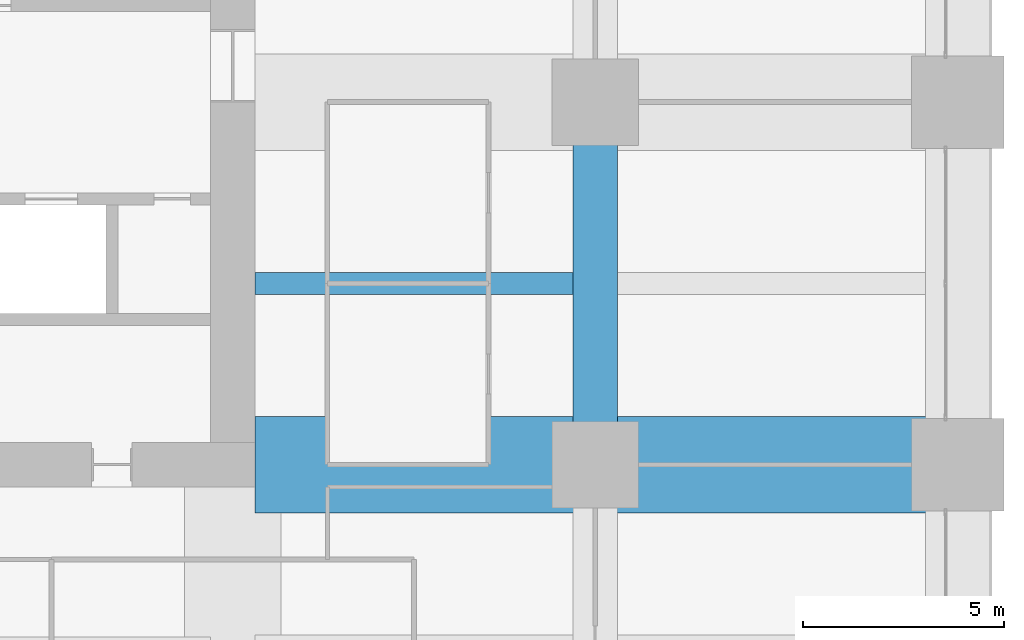
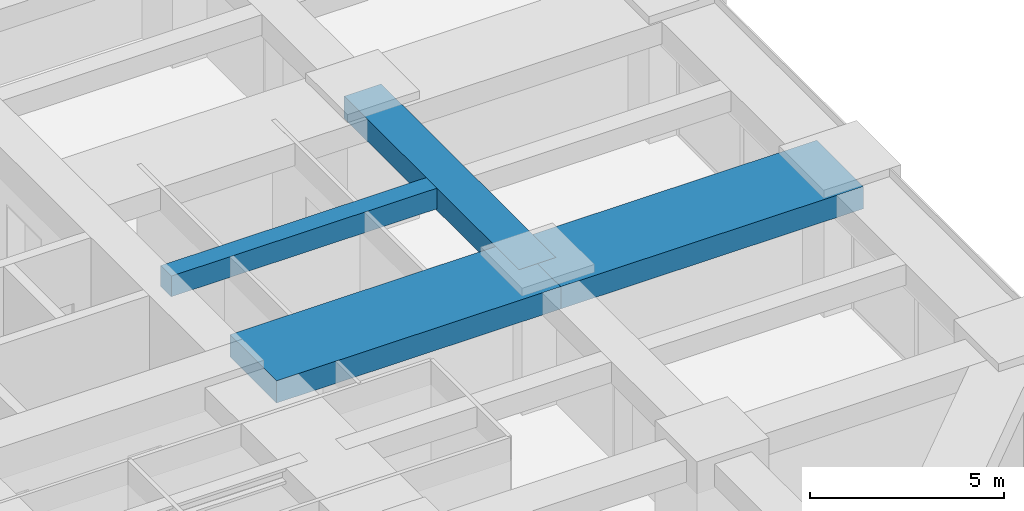
# One storey, part 19 of 44: 4 beams.
"""IFC4 building model written with IfcOpenShell, lengths in metres."""

from ifc_helpers import new_model, si_unit, direction, frame, origin, origin_2d, place, context, subcontext, project, spatial, rectangle, extrude, material, material_profile, profile_set, type_object, element, save


model = new_model("IFC4")

# Units and contexts
model_context = context("Model", 3, precision=1e-05, world=origin(), true_north=direction((0.0, 1.0)))
body_context = subcontext(model_context, "Body", "Model", "MODEL_VIEW")
ifc_project = project(units=[si_unit("LENGTHUNIT", "METRE"), si_unit("AREAUNIT", "SQUARE_METRE"), si_unit("VOLUMEUNIT", "CUBIC_METRE"), si_unit("PLANEANGLEUNIT", "RADIAN"), si_unit("MASSUNIT", "GRAM", prefix="KILO")], contexts=[model_context])

# Site, building, storey
site_placement = place(None, origin())
site = spatial("IfcSite", under=ifc_project, at=site_placement, CompositionType="ELEMENT")
building_placement = place(site_placement, origin())
building = spatial("IfcBuilding", under=site, at=building_placement, Name="Zorevar Civic Tower", CompositionType="ELEMENT")
storey_placement = place(building_placement, frame((0.0, 0.0, 63.800048828125)))
storey = spatial("IfcBuildingStorey", under=building, at=storey_placement, Name="L15", CompositionType="ELEMENT", Elevation=63.800048828125)

# Beams
ifc_material_1 = material(Name="Concrete C50/60", Category="concrete")
ifc_material_profile_1 = material_profile(ifc_material_1, rectangle(XDim=1.10009765625, YDim=0.699951171875, at=origin_2d()), Name="RC 1100x700")
ifc_profile_set_1 = profile_set([ifc_material_profile_1], Name="Concrete C50/60")
beam_type_1 = type_object("IfcBeamType", Name="Beam RC 1100x700", PredefinedType="BEAM", material=ifc_profile_set_1)
beam_1_placement = place(storey_placement, frame((54.0, 18.0, 3.39990234375), z_axis=(0.0, 1.0, 0.0), x_axis=(-1.0, 0.0, 0.0)))
element("IfcBeam", 1, at=beam_1_placement, inside=storey, type_object=beam_type_1, Name="Girder L16", PredefinedType="BEAM", context=body_context, shape_type="SweptSolid", body=[
    extrude(rectangle(XDim=1.10009765625, YDim=0.699951171875, at=origin_2d()), origin(), (0.0, 0.0, 1.0), 9.0),
])
ifc_material_2 = material(Name="Concrete C50/60", Category="concrete")
ifc_material_profile_2 = material_profile(ifc_material_2, rectangle(XDim=2.39990234375, YDim=0.699951171875, at=origin_2d()), Name="RC 2400x700")
ifc_profile_set_2 = profile_set([ifc_material_profile_2], Name="Concrete C50/60")
beam_type_2 = type_object("IfcBeamType", Name="Beam RC 2400x700", PredefinedType="BEAM", material=ifc_profile_set_2)
beam_2_placement = place(storey_placement, frame((45.550048828125, 18.0, 3.39990234375), z_axis=(1.0, 0.0, 0.0), x_axis=(0.0, 1.0, 0.0)))
element("IfcBeam", 2, at=beam_2_placement, inside=storey, type_object=beam_type_2, Name="Girder L16", PredefinedType="BEAM", context=body_context, shape_type="SweptSolid", body=[
    extrude(rectangle(XDim=2.39990234375, YDim=0.699951171875, at=origin_2d()), origin(), (0.0, 0.0, 1.0), 8.449951171875),
])
beam_3_placement = place(storey_placement, frame((54.0, 18.0, 3.39990234375), z_axis=(1.0, 0.0, 0.0), x_axis=(0.0, 1.0, 0.0)))
element("IfcBeam", 3, at=beam_3_placement, inside=storey, type_object=beam_type_2, Name="Girder L16", PredefinedType="BEAM", context=body_context, shape_type="SweptSolid", body=[
    extrude(rectangle(XDim=2.39990234375, YDim=0.699951171875, at=origin_2d()), origin(), (0.0, 0.0, 1.0), 9.0),
])
ifc_material_3 = material(Name="Concrete C50/60", Category="concrete")
ifc_material_profile_3 = material_profile(ifc_material_3, rectangle(XDim=0.550048828125, YDim=0.64990234375, at=origin_2d()), Name="RC 550x650")
ifc_profile_set_3 = profile_set([ifc_material_profile_3], Name="Concrete C50/60")
beam_type_3 = type_object("IfcBeamType", Name="Beam RC 550x650", PredefinedType="BEAM", material=ifc_profile_set_3)
beam_4_placement = place(storey_placement, frame((45.550048828125, 22.5, 3.425048828125), z_axis=(1.0, 0.0, 0.0), x_axis=(0.0, 1.0, 0.0)))
element("IfcBeam", 4, at=beam_4_placement, inside=storey, type_object=beam_type_3, Name="Secondary beam L16", PredefinedType="BEAM", context=body_context, shape_type="SweptSolid", body=[
    extrude(rectangle(XDim=0.550048828125, YDim=0.64990234375, at=origin_2d()), origin(), (0.0, 0.0, 1.0), 7.89990234375),
])

save(model, "model.ifc")
